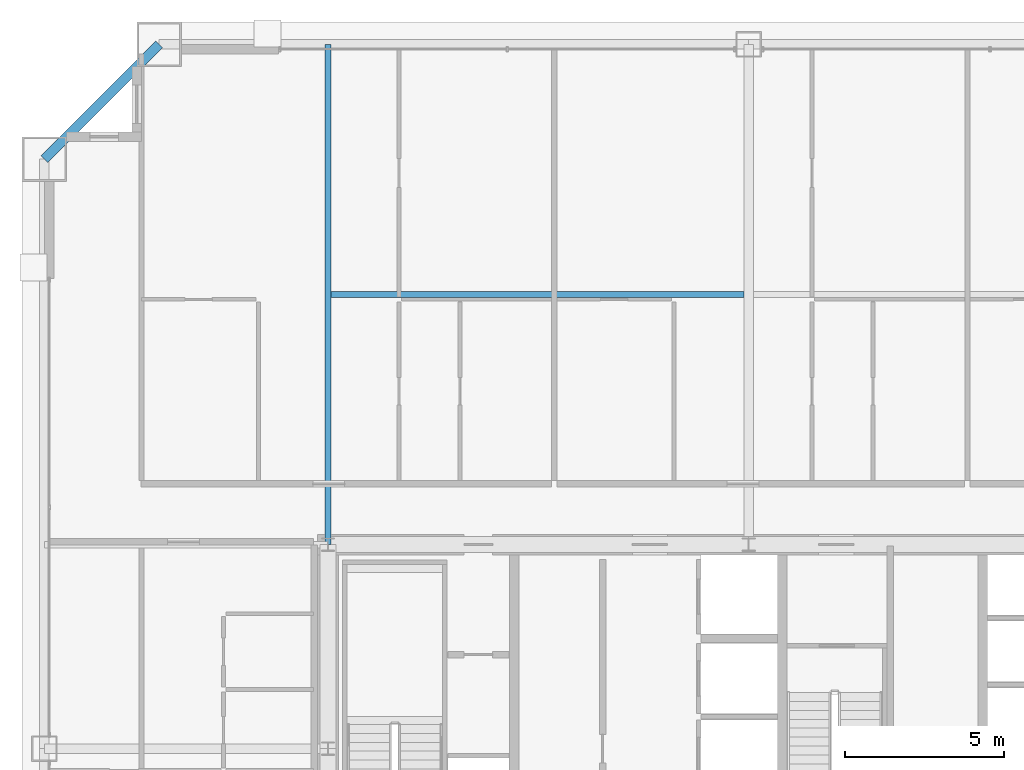
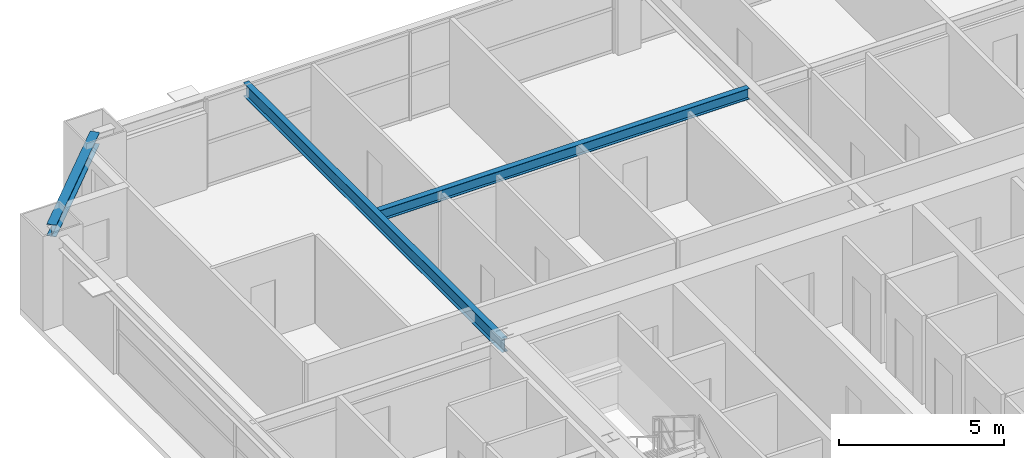
# One storey, part 24 of 38: 3 beams.
"""IFC4 building model written with IfcOpenShell, lengths in metres."""

import ifcopenshell
import ifcopenshell.guid

model = None  # the IFC model being written
_history = None  # IfcOwnerHistory: only IFC2X3 demands one
_inside = {}  # id of a spatial element -> (the spatial element, [elements in it])
_under = {}  # id of a project, library or spatial element -> (it, [spatial elements below it])
_declared = {}  # id of a project -> (the project, [libraries it declares])
_typed = {}  # id of a type object -> (the type object, [elements of that type])
_made_of = {}  # id of a material, layer set ... -> (it, [elements and type objects made of it])


def new_model(schema):
    """Start an empty IFC model of exactly this schema.

    Asked for "IFC4X3", IfcOpenShell would pick the latest addendum, in which some entities
    have other attributes; the version numbers below select the first issue.
    IFC2X3 requires an IfcOwnerHistory on every rooted entity: one is made here for all.
    """
    global model, _history
    if schema == "IFC4X3":
        model = ifcopenshell.file(schema_version=(4, 3, 0, 0))
    else:
        model = ifcopenshell.file(schema=schema)
    _inside.clear()
    _under.clear()
    _declared.clear()
    _typed.clear()
    _made_of.clear()
    _history = None
    if model.schema == "IFC2X3":
        org = make("IfcOrganization", Name="unknown")
        user = make(
            "IfcPersonAndOrganization",
            ThePerson=make("IfcPerson", FamilyName="unknown"),
            TheOrganization=org,
        )
        app = make(
            "IfcApplication",
            ApplicationDeveloper=org,
            Version="unknown",
            ApplicationFullName="unknown",
            ApplicationIdentifier="unknown",
        )
        _history = make(
            "IfcOwnerHistory",
            OwningUser=user,
            OwningApplication=app,
            ChangeAction="ADDED",
            CreationDate=0,
        )
    return model


def make(cls, **values):
    """One entity of the class cls with the attributes given. An attribute that is None is left unset."""
    return model.create_entity(
        cls, **{name: value for name, value in values.items() if value is not None}
    )


def rooted(cls, **values):
    """An entity with a GlobalId (a new one), such as an element, a storey or a relation."""
    return make(cls, GlobalId=ifcopenshell.guid.new(), OwnerHistory=_history, **values)


def si_unit(unit_type, name, prefix=None):
    """IfcSIUnit, for example si_unit("LENGTHUNIT", "METRE", prefix="MILLI")."""
    return make("IfcSIUnit", UnitType=unit_type, Prefix=prefix, Name=name)


def assignment(units):
    """IfcUnitAssignment: the units of a project."""
    return None if units is None else make("IfcUnitAssignment", Units=units)


def point(xyz):
    """IfcCartesianPoint."""
    return None if xyz is None else make("IfcCartesianPoint", Coordinates=xyz)


def direction(xyz):
    """IfcDirection."""
    return None if xyz is None else make("IfcDirection", DirectionRatios=xyz)


def frame(location, z_axis=None, x_axis=None):
    """IfcAxis2Placement3D, a coordinate frame: its origin and axes. An axis left out is left unset."""
    return make(
        "IfcAxis2Placement3D",
        Location=point(location),
        Axis=direction(z_axis),
        RefDirection=direction(x_axis),
    )


def frame_2d(location, x_axis=None):
    """IfcAxis2Placement2D, a coordinate frame in the plane: its origin and x axis."""
    return make(
        "IfcAxis2Placement2D", Location=point(location), RefDirection=direction(x_axis)
    )


def origin():
    """The frame at (0, 0, 0) with its axes left unset."""
    return frame((0.0, 0.0, 0.0))


def origin_2d():
    """The frame at (0, 0) in the plane with its x axis left unset."""
    return frame_2d((0.0, 0.0))


def place(relative_to, where):
    """IfcLocalPlacement: puts the frame where relative to a parent placement (None: the world)."""
    return make(
        "IfcLocalPlacement", PlacementRelTo=relative_to, RelativePlacement=where
    )


def context(
    kind, dimensions, precision=None, world=None, true_north=None, identifier=None
):
    """IfcGeometricRepresentationContext, for example the 3D "Model" context."""
    return make(
        "IfcGeometricRepresentationContext",
        ContextIdentifier=identifier,
        ContextType=kind,
        CoordinateSpaceDimension=dimensions,
        Precision=precision,
        WorldCoordinateSystem=world,
        TrueNorth=true_north,
    )


def subcontext(parent, identifier, kind, view, scale=None):
    """IfcGeometricRepresentationSubContext, for example "Body" below "Model"."""
    return make(
        "IfcGeometricRepresentationSubContext",
        ContextIdentifier=identifier,
        ContextType=kind,
        ParentContext=parent,
        TargetScale=scale,
        TargetView=view,
    )


def project(units=None, contexts=None):
    """IfcProject with its units and contexts."""
    return rooted(
        "IfcProject",
        Name="project",
        RepresentationContexts=contexts,
        UnitsInContext=assignment(units),
    )


def spatial(cls, under=None, at=None, **own):
    """A site, building, storey or space (cls), placed at a placement, below another one or the project."""
    s = rooted(cls, ObjectPlacement=at, **own)
    if under is not None:
        _under.setdefault(under.id(), (under, []))[1].append(s)
    return s


def profile(cls, at=None, kind="AREA", **sizes):
    """A parametric profile (cls). Its sizes go by their IFC names, for example OverallWidth=200.0."""
    return make(cls, ProfileType=kind, Position=at, **sizes)


def i_section(**sizes):
    """IfcIShapeProfileDef."""
    return profile("IfcIShapeProfileDef", **sizes)


def extrude(swept, where, along, depth):
    """IfcExtrudedAreaSolid: the profile swept, set in the frame where, extruded along a direction by depth."""
    return make(
        "IfcExtrudedAreaSolid",
        SweptArea=swept,
        Position=where,
        ExtrudedDirection=direction(along),
        Depth=depth,
    )


def shape(context_of_items, identifier, shape_type, items):
    """IfcShapeRepresentation: the items that make up one representation, for example the "Body"."""
    return make(
        "IfcShapeRepresentation",
        ContextOfItems=context_of_items,
        RepresentationIdentifier=identifier,
        RepresentationType=shape_type,
        Items=items,
    )


def source(mapping_origin, context_of_items, identifier, shape_type, items):
    """IfcRepresentationMap: a shape defined once, which mapped items show again and again."""
    return make(
        "IfcRepresentationMap",
        MappingOrigin=mapping_origin,
        MappedRepresentation=shape(context_of_items, identifier, shape_type, items),
    )


def transform(
    local_origin,
    x_axis=None,
    y_axis=None,
    z_axis=None,
    scale=None,
    scale2=None,
    scale3=None,
    uniform=True,
):
    """IfcCartesianTransformationOperator3D, or its non-uniform kind. x_axis, y_axis, z_axis: its Axis1, 2, 3."""
    if uniform:
        return make(
            "IfcCartesianTransformationOperator3D",
            Axis1=direction(x_axis),
            Axis2=direction(y_axis),
            LocalOrigin=point(local_origin),
            Scale=scale,
            Axis3=direction(z_axis),
        )
    return make(
        "IfcCartesianTransformationOperator3DnonUniform",
        Axis1=direction(x_axis),
        Axis2=direction(y_axis),
        LocalOrigin=point(local_origin),
        Scale=scale,
        Axis3=direction(z_axis),
        Scale2=scale2,
        Scale3=scale3,
    )


def mapped(mapping_source, mapping_target):
    """IfcMappedItem: shows the shape of a source again, moved by a transform."""
    return make(
        "IfcMappedItem", MappingSource=mapping_source, MappingTarget=mapping_target
    )


def material(Name=None, Category=None):
    """IfcMaterial."""
    return make("IfcMaterial", Name=Name, Category=Category)


def material_profile(
    of_material, cross_section, Name=None, Category=None, Priority=None
):
    """IfcMaterialProfile: a cross section and its material."""
    return make(
        "IfcMaterialProfile",
        Name=Name,
        Material=of_material,
        Profile=cross_section,
        Priority=Priority,
        Category=Category,
    )


def profile_set(profiles, Name=None, composite=None):
    """IfcMaterialProfileSet."""
    return make(
        "IfcMaterialProfileSet",
        Name=Name,
        MaterialProfiles=profiles,
        CompositeProfile=composite,
    )


def made_of(thing, what):
    """Note that an element or type object is made of a material, layer set ...; save() writes the relation."""
    if what is not None:
        _made_of.setdefault(what.id(), (what, []))[1].append(thing)
    return thing


def type_object(cls, material=None, **own):
    """A type object (cls), such as IfcWallType, which elements share."""
    return made_of(rooted(cls, **own), material)


def element(
    cls,
    number,
    at=None,
    inside=None,
    cuts=None,
    type_object=None,
    material=None,
    context=None,
    identifier="Body",
    shape_type=None,
    held_by="IfcProductDefinitionShape",
    body=None,
    shapes=None,
    **own,
):
    """One element of the class cls, such as IfcWall. Its Tag is "e" and its number.

    at: its placement. inside: the storey or other place that contains it. cuts: it is an
    opening in that element (IfcRelVoidsElement). A single representation is given by context,
    identifier, shape_type and body (its items); several are given by shapes. held_by: the class
    of the entity that holds the representations. save() writes the other relations.
    """
    e = rooted(cls, Tag="e%d" % number, ObjectPlacement=at, **own)
    if body is not None:
        shapes = [shape(context, identifier, shape_type, body)]
    if shapes is not None:
        e.Representation = make(held_by, Representations=shapes)
    if inside is not None:
        _inside.setdefault(inside.id(), (inside, []))[1].append(e)
    if cuts is not None:
        rooted(
            "IfcRelVoidsElement", RelatingBuildingElement=cuts, RelatedOpeningElement=e
        )
    if type_object is not None:
        _typed.setdefault(type_object.id(), (type_object, []))[1].append(e)
    return made_of(e, material)


def aggregate(whole, parts):
    """IfcRelAggregates: a whole, such as a stair, and the parts it consists of."""
    return rooted("IfcRelAggregates", RelatingObject=whole, RelatedObjects=parts)


def save(model, path):
    """Write the relations noted so far, then the file.

    IfcRelAggregates (storeys below a building ...), IfcRelContainedInSpatialStructure (elements
    in a storey), IfcRelDefinesByType, IfcRelAssociatesMaterial and IfcRelDeclares: one each for
    every whole, place, type object, material and project.
    """
    for whole, parts in _under.values():
        aggregate(whole, parts)
    for where, things in _inside.values():
        rooted(
            "IfcRelContainedInSpatialStructure",
            RelatedElements=things,
            RelatingStructure=where,
        )
    for kind, things in _typed.values():
        rooted("IfcRelDefinesByType", RelatedObjects=things, RelatingType=kind)
    for what, things in _made_of.values():
        rooted("IfcRelAssociatesMaterial", RelatedObjects=things, RelatingMaterial=what)
    for by, libraries in _declared.values():
        rooted("IfcRelDeclares", RelatingContext=by, RelatedDefinitions=libraries)
    model.write(path)


model = new_model("IFC4")

# Units and contexts
model_context = context("Model", 3, precision=1e-05, world=origin(), true_north=direction((0.0, 1.0)))
body_context = subcontext(model_context, "Body", "Model", "MODEL_VIEW")
ifc_project = project(units=[si_unit("LENGTHUNIT", "METRE"), si_unit("AREAUNIT", "SQUARE_METRE"), si_unit("VOLUMEUNIT", "CUBIC_METRE"), si_unit("PLANEANGLEUNIT", "RADIAN"), si_unit("MASSUNIT", "GRAM", prefix="KILO"), si_unit("THERMODYNAMICTEMPERATUREUNIT", "KELVIN"), si_unit("POWERUNIT", "WATT")], contexts=[model_context])

# Site, building, storey
site_placement = place(None, origin())
site = spatial("IfcSite", under=ifc_project, at=site_placement, CompositionType="ELEMENT")
building_placement = place(site_placement, origin())
building = spatial("IfcBuilding", under=site, at=building_placement, Name="Yuzanri Waterfront Tower", CompositionType="ELEMENT")
storey_placement = place(building_placement, frame((0.0, 0.0, 202.0)))
storey = spatial("IfcBuildingStorey", under=building, at=storey_placement, Name="L53", CompositionType="ELEMENT", Elevation=202.0)

# Beams
ifc_material_1 = material(Name="Steel Q355B", Category="steel")
ifc_material_profile_1 = material_profile(ifc_material_1, i_section(OverallWidth=0.199951171875, OverallDepth=0.39990234375, WebThickness=0.008056640625, FlangeThickness=0.012939453125, at=origin_2d()), Name="HN 400x200x8x13")
ifc_profile_set_1 = profile_set([ifc_material_profile_1], Name="Steel Q355B")
beam_type_1 = type_object("IfcBeamType", Name="Floor Joist Q355B HN 400x200", PredefinedType="JOIST", material=ifc_profile_set_1)
shared_shape_1 = source(origin(), body_context, "Body", "SweptSolid", [
    extrude(i_section(OverallWidth=0.199951171875, OverallDepth=0.39990234375, WebThickness=0.008056640625, FlangeThickness=0.012939453125, at=origin_2d()), origin(), (0.0, 0.0, 1.0), 12.9501953125),
])
beam_1_placement = place(storey_placement, frame((23.89990234375, 40.050048828125, 3.080078125), z_axis=(1.0, 0.0, 0.0), x_axis=(0.0, 1.0, 0.0)))
element("IfcBeam", 1, at=beam_1_placement, inside=storey, type_object=beam_type_1, Name="L53 North Bay Joist W", PredefinedType="JOIST", context=body_context, shape_type="MappedRepresentation", body=[
    mapped(shared_shape_1, transform((0.0, 0.0, 0.0), scale=1.0)),
])
ifc_material_2 = material(Name="Steel Q355B", Category="steel")
ifc_material_profile_2 = material_profile(ifc_material_2, i_section(OverallWidth=0.300048828125, OverallDepth=0.43994140625, WebThickness=0.010986328125, FlangeThickness=0.01806640625, at=origin_2d()), Name="HM 440x300x11x18")
ifc_profile_set_2 = profile_set([ifc_material_profile_2], Name="Steel Q355B")
beam_type_2 = type_object("IfcBeamType", Name="Perimeter Spandrel Q355B HM 440x300", PredefinedType="SPANDREL", material=ifc_profile_set_2)
shared_shape_2 = source(origin(), body_context, "Body", "SweptSolid", [
    extrude(i_section(OverallWidth=0.300048828125, OverallDepth=0.43994140625, WebThickness=0.010986328125, FlangeThickness=0.01806640625, at=origin_2d()), origin(), (0.0, 0.0, 1.0), 5.091064453125),
])
beam_2_placement = place(storey_placement, frame((18.5, 47.89990234375, 3.06005859375), z_axis=(-0.707130757816, -0.707082803744, 0.0), x_axis=(0.707082803744, -0.707130757816, 0.0)))
element("IfcBeam", 2, at=beam_2_placement, inside=storey, type_object=beam_type_2, Name="L53 Perimeter Spandrel N1-W3", PredefinedType="SPANDREL", context=body_context, shape_type="MappedRepresentation", body=[
    mapped(shared_shape_2, transform((0.0, 0.0, 0.0), scale=1.0)),
])
ifc_material_3 = material(Name="Steel Q355B", Category="steel")
ifc_material_profile_3 = material_profile(ifc_material_3, i_section(OverallWidth=0.199951171875, OverallDepth=0.5, WebThickness=0.010009765625, FlangeThickness=0.01611328125, at=origin_2d()), Name="HN 500x200x10x16")
ifc_profile_set_3 = profile_set([ifc_material_profile_3], Name="Steel Q355B")
beam_type_3 = type_object("IfcBeamType", Name="Secondary Floor Beam Q355B HN 500x200", PredefinedType="BEAM", material=ifc_profile_set_3)
shared_shape_3 = source(origin(), body_context, "Body", "SweptSolid", [
    extrude(i_section(OverallWidth=0.199951171875, OverallDepth=0.5, WebThickness=0.010009765625, FlangeThickness=0.01611328125, at=origin_2d()), origin(), (0.0, 0.0, 1.0), 15.699951171875),
])
beam_3_placement = place(storey_placement, frame((23.800048828125, 32.199951171875, 3.030029296875), z_axis=(0.0, 1.0, 0.0), x_axis=(-1.0, 0.0, 0.0)))
element("IfcBeam", 3, at=beam_3_placement, inside=storey, type_object=beam_type_3, Name="L53 North-West Core Line Beam", PredefinedType="BEAM", context=body_context, shape_type="MappedRepresentation", body=[
    mapped(shared_shape_3, transform((0.0, 0.0, 0.0), scale=1.0)),
])

save(model, "model.ifc")
